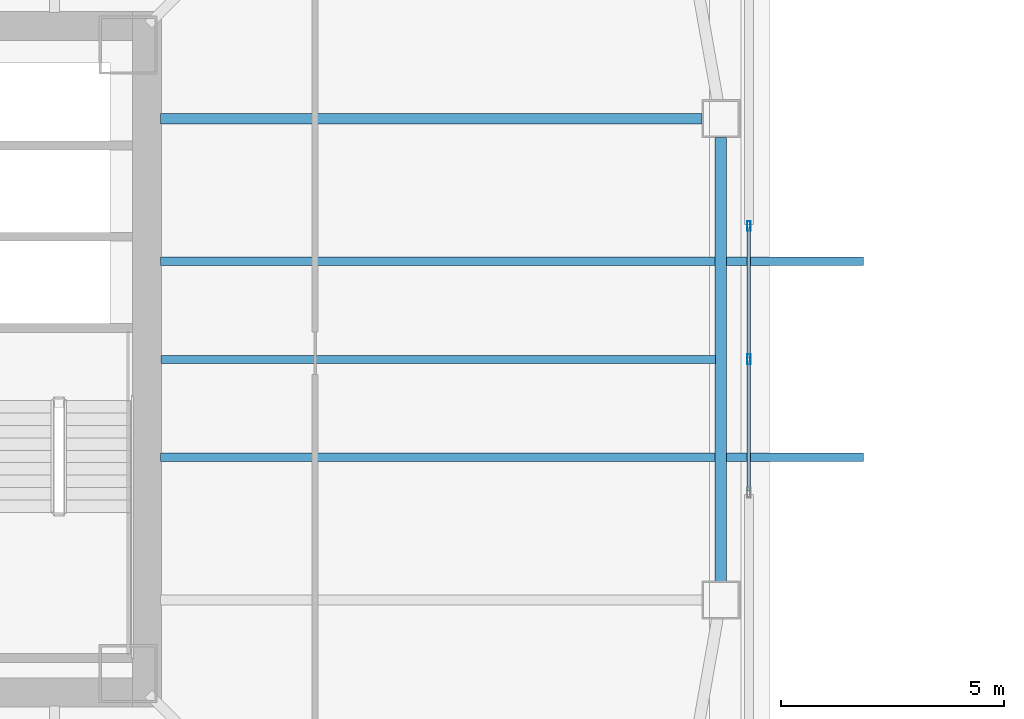
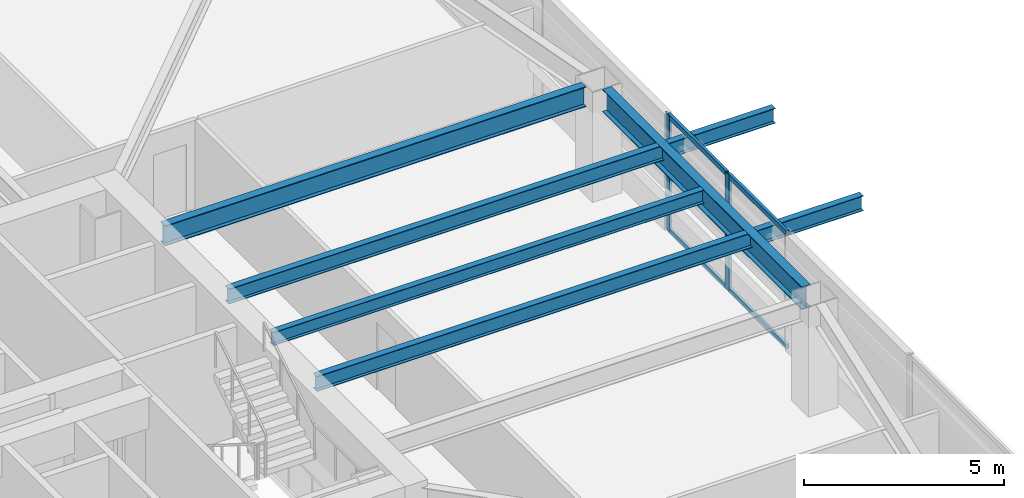
# One storey, part 10 of 44: 6 members, 5 beams, 1 element without a shape of its own.
"""IFC4 building model written with IfcOpenShell, lengths in metres."""

from ifc_helpers import new_model, si_unit, direction, frame, origin, origin_2d, place, context, subcontext, project, spatial, hollow_rectangle, i_section, extrude, material, material_profile, profile_set, type_object, element, aggregate, save


model = new_model("IFC4")

# Units and contexts
model_context = context("Model", 3, precision=1e-05, world=origin(), true_north=direction((0.0, 1.0)))
body_context = subcontext(model_context, "Body", "Model", "MODEL_VIEW")
ifc_project = project(units=[si_unit("LENGTHUNIT", "METRE"), si_unit("AREAUNIT", "SQUARE_METRE"), si_unit("VOLUMEUNIT", "CUBIC_METRE"), si_unit("PLANEANGLEUNIT", "RADIAN"), si_unit("MASSUNIT", "GRAM", prefix="KILO")], contexts=[model_context])

# Site, building, storey
site_placement = place(None, origin())
site = spatial("IfcSite", under=ifc_project, at=site_placement, CompositionType="ELEMENT")
building_placement = place(site_placement, origin())
building = spatial("IfcBuilding", under=site, at=building_placement, Name="Tashvorn Skyway Center", CompositionType="ELEMENT")
storey_placement = place(building_placement, frame((0.0, 0.0, 95.60009765625)))
storey = spatial("IfcBuildingStorey", under=building, at=storey_placement, Name="L25", CompositionType="ELEMENT", Elevation=95.60009765625)

# Beams
ifc_material_1 = material(Name="Steel ASTM A992 Grade 50", Category="steel")
ifc_material_profile_1 = material_profile(ifc_material_1, i_section(OverallWidth=0.22998046875, OverallDepth=0.616943359375, WebThickness=0.01318359375, FlangeThickness=0.022216796875, at=origin_2d()), Name="W24X94")
ifc_profile_set_1 = profile_set([ifc_material_profile_1], Name="Steel ASTM A992 Grade 50")
beam_type_1 = type_object("IfcBeamType", Name="BM-BEAM-W24X94", PredefinedType="BEAM", material=ifc_profile_set_1)
beam_1_placement = place(storey_placement, frame((61.929931640625, 37.39990234375, 3.04150390625), z_axis=(-1.0, 0.0, 0.0), x_axis=(0.0, -1.0, 0.0)))
element("IfcBeam", 1, at=beam_1_placement, inside=storey, type_object=beam_type_1, Name="Tower 1 L25 Primary Floor Girder FC-E2", PredefinedType="BEAM", context=body_context, shape_type="SweptSolid", body=[
    extrude(i_section(OverallWidth=0.22998046875, OverallDepth=0.616943359375, WebThickness=0.01318359375, FlangeThickness=0.022216796875, at=origin_2d()), origin(), (0.0, 0.0, 1.0), 12.14990234375),
])
ifc_material_profile_2 = material_profile(ifc_material_1, i_section(OverallWidth=0.177978515625, OverallDepth=0.406005859375, WebThickness=0.0078125, FlangeThickness=0.0126953125, at=origin_2d()), Name="W16X40")
ifc_profile_set_2 = profile_set([ifc_material_profile_2], Name="Steel ASTM A992 Grade 50")
beam_type_2 = type_object("IfcBeamType", Name="BM-JOIST-W16X40", PredefinedType="JOIST", material=ifc_profile_set_2)
beam_2_placement = place(storey_placement, frame((49.7900390625, 32.0, 3.14697265625), z_axis=(1.0, 0.0, 0.0), x_axis=(0.0, 1.0, 0.0)))
element("IfcBeam", 2, at=beam_2_placement, inside=storey, type_object=beam_type_2, Name="Tower 1 L25 Secondary Composite Joist JE", PredefinedType="JOIST", context=body_context, shape_type="SweptSolid", body=[
    extrude(i_section(OverallWidth=0.177978515625, OverallDepth=0.406005859375, WebThickness=0.0078125, FlangeThickness=0.0126953125, at=origin_2d()), origin(), (0.0, 0.0, 1.0), 12.43994140625),
])
ifc_material_profile_3 = material_profile(ifc_material_1, i_section(OverallWidth=0.19091796875, OverallDepth=0.4599609375, WebThickness=0.010009765625, FlangeThickness=0.01611328125, at=origin_2d()), Name="W18X55")
ifc_profile_set_3 = profile_set([ifc_material_profile_3], Name="Steel ASTM A992 Grade 50")
beam_type_3 = type_object("IfcBeamType", Name="BM-JOIST-W18X55", PredefinedType="JOIST", material=ifc_profile_set_3)
for number, where, z_axis, x_axis, name in (
    (3, (49.780029296875, 29.800048828125, 3.119873046875), (1.0, 0.0, 0.0), (0.0, 1.0, 0.0), "Tower 1 L26 Terrace Cantilever Outlooker 1"),
    (4, (49.780029296875, 34.199951171875, 3.119873046875), (1.0, 0.0, 0.0), (0.0, 1.0, 0.0), "Tower 1 L26 Terrace Cantilever Outlooker 2"),
):
    element("IfcBeam", number, at=place(storey_placement, frame(where, z_axis=z_axis, x_axis=x_axis)), inside=storey, type_object=beam_type_3, Name=name, PredefinedType="JOIST", context=body_context, shape_type="SweptSolid", body=[
        extrude(i_section(OverallWidth=0.19091796875, OverallDepth=0.4599609375, WebThickness=0.010009765625, FlangeThickness=0.01611328125, at=origin_2d()), origin(), (0.0, 0.0, 1.0), 15.77001953125),
    ])
ifc_material_profile_4 = material_profile(ifc_material_1, i_section(OverallWidth=0.256103515625, OverallDepth=0.693115234375, WebThickness=0.014404296875, FlangeThickness=0.023681640625, at=origin_2d()), Name="W27X114")
ifc_profile_set_4 = profile_set([ifc_material_profile_4], Name="Steel ASTM A992 Grade 50")
beam_type_4 = type_object("IfcBeamType", Name="BM-SPANDREL-W27X114", PredefinedType="SPANDREL", material=ifc_profile_set_4)
beam_3_placement = place(storey_placement, frame((62.35009765625, 27.02001953125, 3.00341796875), z_axis=(0.0, 1.0, 0.0), x_axis=(-1.0, 0.0, 0.0)))
element("IfcBeam", 5, at=beam_3_placement, inside=storey, type_object=beam_type_4, Name="Tower 1 L25 Spandrel Beam 05", PredefinedType="SPANDREL", context=body_context, shape_type="SweptSolid", body=[
    extrude(i_section(OverallWidth=0.256103515625, OverallDepth=0.693115234375, WebThickness=0.014404296875, FlangeThickness=0.023681640625, at=origin_2d()), origin(), (0.0, 0.0, 1.0), 9.9599609375),
])

# Curtain wall, members
ifc_material_2 = material(Name="Thermally broken bronze-anodized aluminium 6063-T6", Category="aluminium")
curtain_wall_type = type_object("IfcCurtainWallType", Name="CW-CW-Z2", PredefinedType="NOTDEFINED", material=ifc_material_2)
curtain_wall_placement = place(storey_placement, origin())
curtain_wall = element("IfcCurtainWall", 6, at=curtain_wall_placement, inside=storey, type_object=curtain_wall_type, Name="Tower 1 L25 East Unitised Curtain Wall Glazing Group 2", PredefinedType="NOTDEFINED")
ifc_material_profile_5 = material_profile(ifc_material_2, hollow_rectangle(XDim=0.080078125, YDim=0.219970703125, WallThickness=0.0048828125, at=origin_2d()), Name="ALU-MULL-80x220")
ifc_profile_set_5 = profile_set([ifc_material_profile_5], Name="Thermally broken bronze-anodized aluminium 6063-T6")
member_type_1 = type_object("IfcMemberType", Name="CWM-CW-Z2", PredefinedType="MULLION", material=ifc_profile_set_5)
member_1_placement = place(storey_placement, frame((62.97998046875, 34.989990234375, 0.0), z_axis=(0.0, 0.0, 1.0), x_axis=(1.0, 0.0, 0.0)))
member_1 = element("IfcMember", 7, at=member_1_placement, type_object=member_type_1, Name="CW-Z2 mullion 1", PredefinedType="MULLION", context=body_context, shape_type="SweptSolid", body=[
    extrude(hollow_rectangle(XDim=0.080078125, YDim=0.219970703125, WallThickness=0.0048828125, at=origin_2d()), origin(), (0.0, 0.0, 1.0), 3.5498046875),
])
member_2_placement = place(storey_placement, frame((62.97998046875, 32.0, 0.0), z_axis=(0.0, 0.0, 1.0), x_axis=(1.0, 0.0, 0.0)))
member_2 = element("IfcMember", 8, at=member_2_placement, type_object=member_type_1, Name="CW-Z2 mullion 2", PredefinedType="MULLION", context=body_context, shape_type="SweptSolid", body=[
    extrude(hollow_rectangle(XDim=0.080078125, YDim=0.219970703125, WallThickness=0.0048828125, at=origin_2d()), origin(), (0.0, 0.0, 1.0), 3.5498046875),
])
ifc_material_profile_6 = material_profile(ifc_material_2, hollow_rectangle(XDim=0.080078125, YDim=0.14990234375, WallThickness=0.00439453125, at=origin_2d()), Name="ALU-TRAN-80x150")
ifc_profile_set_6 = profile_set([ifc_material_profile_6], Name="Thermally broken bronze-anodized aluminium 6063-T6")
member_type_2 = type_object("IfcMemberType", Name="CWT-CW-Z2", PredefinedType="USERDEFINED", material=ifc_profile_set_6)
member_3_placement = place(storey_placement, frame((62.97998046875, 34.949951171875, 0.039794921875), z_axis=(0.0, -1.0, 0.0), x_axis=(1.0, 0.0, 0.0)))
member_3 = element("IfcMember", 9, at=member_3_placement, type_object=member_type_2, Name="CW-Z2 transom 1.1", ObjectType="TRANSOM", PredefinedType="USERDEFINED", context=body_context, shape_type="SweptSolid", body=[
    extrude(hollow_rectangle(XDim=0.080078125, YDim=0.14990234375, WallThickness=0.00439453125, at=origin_2d()), origin(), (0.0, 0.0, 1.0), 2.909912109375),
])
member_4_placement = place(storey_placement, frame((62.97998046875, 34.949951171875, 3.510009765625), z_axis=(0.0, -1.0, 0.0), x_axis=(1.0, 0.0, 0.0)))
member_4 = element("IfcMember", 10, at=member_4_placement, type_object=member_type_2, Name="CW-Z2 transom 1.2", ObjectType="TRANSOM", PredefinedType="USERDEFINED", context=body_context, shape_type="SweptSolid", body=[
    extrude(hollow_rectangle(XDim=0.080078125, YDim=0.14990234375, WallThickness=0.00439453125, at=origin_2d()), origin(), (0.0, 0.0, 1.0), 2.909912109375),
])
member_5_placement = place(storey_placement, frame((62.97998046875, 31.9599609375, 0.039794921875), z_axis=(0.0, -1.0, 0.0), x_axis=(1.0, 0.0, 0.0)))
member_5 = element("IfcMember", 11, at=member_5_placement, type_object=member_type_2, Name="CW-Z2 transom 2.1", ObjectType="TRANSOM", PredefinedType="USERDEFINED", context=body_context, shape_type="SweptSolid", body=[
    extrude(hollow_rectangle(XDim=0.080078125, YDim=0.14990234375, WallThickness=0.00439453125, at=origin_2d()), origin(), (0.0, 0.0, 1.0), 2.909912109375),
])
member_6_placement = place(storey_placement, frame((62.97998046875, 31.9599609375, 3.510009765625), z_axis=(0.0, -1.0, 0.0), x_axis=(1.0, 0.0, 0.0)))
member_6 = element("IfcMember", 12, at=member_6_placement, type_object=member_type_2, Name="CW-Z2 transom 2.2", ObjectType="TRANSOM", PredefinedType="USERDEFINED", context=body_context, shape_type="SweptSolid", body=[
    extrude(hollow_rectangle(XDim=0.080078125, YDim=0.14990234375, WallThickness=0.00439453125, at=origin_2d()), origin(), (0.0, 0.0, 1.0), 2.909912109375),
])
aggregate(curtain_wall, [member_1, member_2, member_3, member_4, member_5, member_6])

save(model, "model.ifc")
